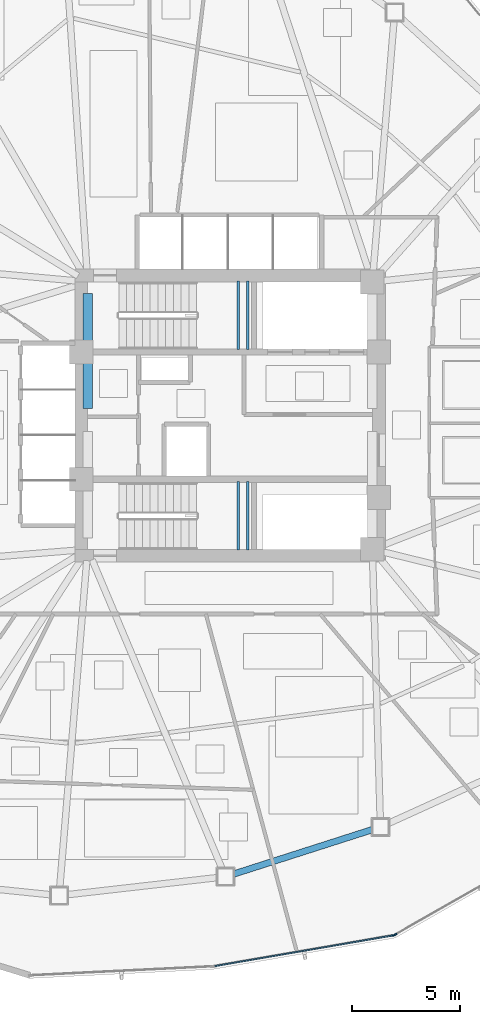
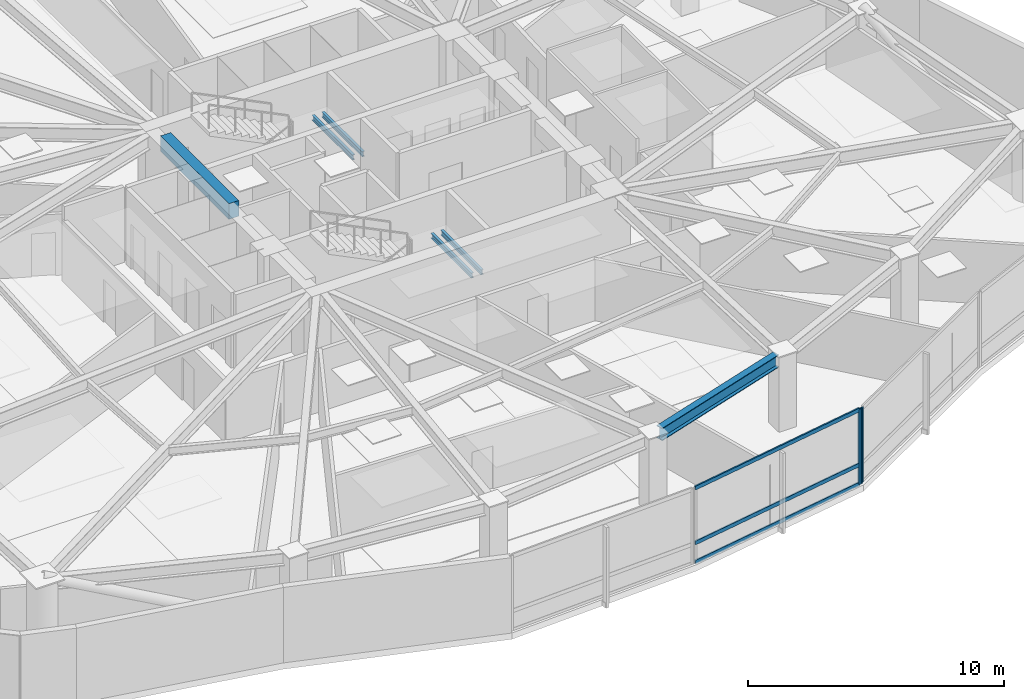
# One storey, part 5 of 18: 6 beams, 5 members, 2 elements without a shape of their own.
"""IFC4 building model written with IfcOpenShell, lengths in metres."""

import ifcopenshell
import ifcopenshell.guid

model = None  # the IFC model being written
_history = None  # IfcOwnerHistory: only IFC2X3 demands one
_inside = {}  # id of a spatial element -> (the spatial element, [elements in it])
_under = {}  # id of a project, library or spatial element -> (it, [spatial elements below it])
_declared = {}  # id of a project -> (the project, [libraries it declares])
_typed = {}  # id of a type object -> (the type object, [elements of that type])
_made_of = {}  # id of a material, layer set ... -> (it, [elements and type objects made of it])


def new_model(schema):
    """Start an empty IFC model of exactly this schema.

    Asked for "IFC4X3", IfcOpenShell would pick the latest addendum, in which some entities
    have other attributes; the version numbers below select the first issue.
    IFC2X3 requires an IfcOwnerHistory on every rooted entity: one is made here for all.
    """
    global model, _history
    if schema == "IFC4X3":
        model = ifcopenshell.file(schema_version=(4, 3, 0, 0))
    else:
        model = ifcopenshell.file(schema=schema)
    _inside.clear()
    _under.clear()
    _declared.clear()
    _typed.clear()
    _made_of.clear()
    _history = None
    if model.schema == "IFC2X3":
        org = make("IfcOrganization", Name="unknown")
        user = make(
            "IfcPersonAndOrganization",
            ThePerson=make("IfcPerson", FamilyName="unknown"),
            TheOrganization=org,
        )
        app = make(
            "IfcApplication",
            ApplicationDeveloper=org,
            Version="unknown",
            ApplicationFullName="unknown",
            ApplicationIdentifier="unknown",
        )
        _history = make(
            "IfcOwnerHistory",
            OwningUser=user,
            OwningApplication=app,
            ChangeAction="ADDED",
            CreationDate=0,
        )
    return model


def make(cls, **values):
    """One entity of the class cls with the attributes given. An attribute that is None is left unset."""
    return model.create_entity(
        cls, **{name: value for name, value in values.items() if value is not None}
    )


def rooted(cls, **values):
    """An entity with a GlobalId (a new one), such as an element, a storey or a relation."""
    return make(cls, GlobalId=ifcopenshell.guid.new(), OwnerHistory=_history, **values)


def si_unit(unit_type, name, prefix=None):
    """IfcSIUnit, for example si_unit("LENGTHUNIT", "METRE", prefix="MILLI")."""
    return make("IfcSIUnit", UnitType=unit_type, Prefix=prefix, Name=name)


def assignment(units):
    """IfcUnitAssignment: the units of a project."""
    return None if units is None else make("IfcUnitAssignment", Units=units)


def point(xyz):
    """IfcCartesianPoint."""
    return None if xyz is None else make("IfcCartesianPoint", Coordinates=xyz)


def direction(xyz):
    """IfcDirection."""
    return None if xyz is None else make("IfcDirection", DirectionRatios=xyz)


def frame(location, z_axis=None, x_axis=None):
    """IfcAxis2Placement3D, a coordinate frame: its origin and axes. An axis left out is left unset."""
    return make(
        "IfcAxis2Placement3D",
        Location=point(location),
        Axis=direction(z_axis),
        RefDirection=direction(x_axis),
    )


def frame_2d(location, x_axis=None):
    """IfcAxis2Placement2D, a coordinate frame in the plane: its origin and x axis."""
    return make(
        "IfcAxis2Placement2D", Location=point(location), RefDirection=direction(x_axis)
    )


def origin():
    """The frame at (0, 0, 0) with its axes left unset."""
    return frame((0.0, 0.0, 0.0))


def origin_2d():
    """The frame at (0, 0) in the plane with its x axis left unset."""
    return frame_2d((0.0, 0.0))


def place(relative_to, where):
    """IfcLocalPlacement: puts the frame where relative to a parent placement (None: the world)."""
    return make(
        "IfcLocalPlacement", PlacementRelTo=relative_to, RelativePlacement=where
    )


def context(
    kind, dimensions, precision=None, world=None, true_north=None, identifier=None
):
    """IfcGeometricRepresentationContext, for example the 3D "Model" context."""
    return make(
        "IfcGeometricRepresentationContext",
        ContextIdentifier=identifier,
        ContextType=kind,
        CoordinateSpaceDimension=dimensions,
        Precision=precision,
        WorldCoordinateSystem=world,
        TrueNorth=true_north,
    )


def subcontext(parent, identifier, kind, view, scale=None):
    """IfcGeometricRepresentationSubContext, for example "Body" below "Model"."""
    return make(
        "IfcGeometricRepresentationSubContext",
        ContextIdentifier=identifier,
        ContextType=kind,
        ParentContext=parent,
        TargetScale=scale,
        TargetView=view,
    )


def project(units=None, contexts=None):
    """IfcProject with its units and contexts."""
    return rooted(
        "IfcProject",
        Name="project",
        RepresentationContexts=contexts,
        UnitsInContext=assignment(units),
    )


def spatial(cls, under=None, at=None, **own):
    """A site, building, storey or space (cls), placed at a placement, below another one or the project."""
    s = rooted(cls, ObjectPlacement=at, **own)
    if under is not None:
        _under.setdefault(under.id(), (under, []))[1].append(s)
    return s


def profile(cls, at=None, kind="AREA", **sizes):
    """A parametric profile (cls). Its sizes go by their IFC names, for example OverallWidth=200.0."""
    return make(cls, ProfileType=kind, Position=at, **sizes)


def rectangle(**sizes):
    """IfcRectangleProfileDef."""
    return profile("IfcRectangleProfileDef", **sizes)


def hollow_rectangle(**sizes):
    """IfcRectangleHollowProfileDef."""
    return profile("IfcRectangleHollowProfileDef", **sizes)


def i_section(**sizes):
    """IfcIShapeProfileDef."""
    return profile("IfcIShapeProfileDef", **sizes)


def extrude(swept, where, along, depth):
    """IfcExtrudedAreaSolid: the profile swept, set in the frame where, extruded along a direction by depth."""
    return make(
        "IfcExtrudedAreaSolid",
        SweptArea=swept,
        Position=where,
        ExtrudedDirection=direction(along),
        Depth=depth,
    )


def shape(context_of_items, identifier, shape_type, items):
    """IfcShapeRepresentation: the items that make up one representation, for example the "Body"."""
    return make(
        "IfcShapeRepresentation",
        ContextOfItems=context_of_items,
        RepresentationIdentifier=identifier,
        RepresentationType=shape_type,
        Items=items,
    )


def source(mapping_origin, context_of_items, identifier, shape_type, items):
    """IfcRepresentationMap: a shape defined once, which mapped items show again and again."""
    return make(
        "IfcRepresentationMap",
        MappingOrigin=mapping_origin,
        MappedRepresentation=shape(context_of_items, identifier, shape_type, items),
    )


def transform(
    local_origin,
    x_axis=None,
    y_axis=None,
    z_axis=None,
    scale=None,
    scale2=None,
    scale3=None,
    uniform=True,
):
    """IfcCartesianTransformationOperator3D, or its non-uniform kind. x_axis, y_axis, z_axis: its Axis1, 2, 3."""
    if uniform:
        return make(
            "IfcCartesianTransformationOperator3D",
            Axis1=direction(x_axis),
            Axis2=direction(y_axis),
            LocalOrigin=point(local_origin),
            Scale=scale,
            Axis3=direction(z_axis),
        )
    return make(
        "IfcCartesianTransformationOperator3DnonUniform",
        Axis1=direction(x_axis),
        Axis2=direction(y_axis),
        LocalOrigin=point(local_origin),
        Scale=scale,
        Axis3=direction(z_axis),
        Scale2=scale2,
        Scale3=scale3,
    )


def mapped(mapping_source, mapping_target):
    """IfcMappedItem: shows the shape of a source again, moved by a transform."""
    return make(
        "IfcMappedItem", MappingSource=mapping_source, MappingTarget=mapping_target
    )


def material(Name=None, Category=None):
    """IfcMaterial."""
    return make("IfcMaterial", Name=Name, Category=Category)


def layer(
    of_material, thickness, ventilated=None, Name=None, Category=None, Priority=None
):
    """IfcMaterialLayer: one layer of a wall or slab, of a material (None: an air gap)."""
    return make(
        "IfcMaterialLayer",
        Material=of_material,
        LayerThickness=thickness,
        IsVentilated=ventilated,
        Name=Name,
        Category=Category,
        Priority=Priority,
    )


def layer_set(layers, Name=None):
    """IfcMaterialLayerSet."""
    return make("IfcMaterialLayerSet", MaterialLayers=layers, LayerSetName=Name)


def material_profile(
    of_material, cross_section, Name=None, Category=None, Priority=None
):
    """IfcMaterialProfile: a cross section and its material."""
    return make(
        "IfcMaterialProfile",
        Name=Name,
        Material=of_material,
        Profile=cross_section,
        Priority=Priority,
        Category=Category,
    )


def profile_set(profiles, Name=None, composite=None):
    """IfcMaterialProfileSet."""
    return make(
        "IfcMaterialProfileSet",
        Name=Name,
        MaterialProfiles=profiles,
        CompositeProfile=composite,
    )


def made_of(thing, what):
    """Note that an element or type object is made of a material, layer set ...; save() writes the relation."""
    if what is not None:
        _made_of.setdefault(what.id(), (what, []))[1].append(thing)
    return thing


def type_object(cls, material=None, **own):
    """A type object (cls), such as IfcWallType, which elements share."""
    return made_of(rooted(cls, **own), material)


def type_shapes(of_type, sources):
    """Give a type object the sources (RepresentationMaps) that its elements show as mapped items."""
    of_type.RepresentationMaps = sources


def element(
    cls,
    number,
    at=None,
    inside=None,
    cuts=None,
    type_object=None,
    material=None,
    context=None,
    identifier="Body",
    shape_type=None,
    held_by="IfcProductDefinitionShape",
    body=None,
    shapes=None,
    **own,
):
    """One element of the class cls, such as IfcWall. Its Tag is "e" and its number.

    at: its placement. inside: the storey or other place that contains it. cuts: it is an
    opening in that element (IfcRelVoidsElement). A single representation is given by context,
    identifier, shape_type and body (its items); several are given by shapes. held_by: the class
    of the entity that holds the representations. save() writes the other relations.
    """
    e = rooted(cls, Tag="e%d" % number, ObjectPlacement=at, **own)
    if body is not None:
        shapes = [shape(context, identifier, shape_type, body)]
    if shapes is not None:
        e.Representation = make(held_by, Representations=shapes)
    if inside is not None:
        _inside.setdefault(inside.id(), (inside, []))[1].append(e)
    if cuts is not None:
        rooted(
            "IfcRelVoidsElement", RelatingBuildingElement=cuts, RelatedOpeningElement=e
        )
    if type_object is not None:
        _typed.setdefault(type_object.id(), (type_object, []))[1].append(e)
    return made_of(e, material)


def aggregate(whole, parts):
    """IfcRelAggregates: a whole, such as a stair, and the parts it consists of."""
    return rooted("IfcRelAggregates", RelatingObject=whole, RelatedObjects=parts)


def save(model, path):
    """Write the relations noted so far, then the file.

    IfcRelAggregates (storeys below a building ...), IfcRelContainedInSpatialStructure (elements
    in a storey), IfcRelDefinesByType, IfcRelAssociatesMaterial and IfcRelDeclares: one each for
    every whole, place, type object, material and project.
    """
    for whole, parts in _under.values():
        aggregate(whole, parts)
    for where, things in _inside.values():
        rooted(
            "IfcRelContainedInSpatialStructure",
            RelatedElements=things,
            RelatingStructure=where,
        )
    for kind, things in _typed.values():
        rooted("IfcRelDefinesByType", RelatedObjects=things, RelatingType=kind)
    for what, things in _made_of.values():
        rooted("IfcRelAssociatesMaterial", RelatedObjects=things, RelatingMaterial=what)
    for by, libraries in _declared.values():
        rooted("IfcRelDeclares", RelatingContext=by, RelatedDefinitions=libraries)
    model.write(path)


model = new_model("IFC4")

# Units and contexts
model_context = context("Model", 3, precision=1e-05, world=origin(), true_north=direction((0.0, 1.0)))
body_context = subcontext(model_context, "Body", "Model", "MODEL_VIEW")
ifc_project = project(units=[si_unit("LENGTHUNIT", "METRE"), si_unit("AREAUNIT", "SQUARE_METRE"), si_unit("VOLUMEUNIT", "CUBIC_METRE"), si_unit("PLANEANGLEUNIT", "RADIAN"), si_unit("MASSUNIT", "GRAM", prefix="KILO")], contexts=[model_context])

# Site, building, storey
site_placement = place(None, origin())
site = spatial("IfcSite", under=ifc_project, at=site_placement, CompositionType="ELEMENT")
building_placement = place(site_placement, origin())
building = spatial("IfcBuilding", under=site, at=building_placement, Name="Tavelor Broadcast Tower", CompositionType="ELEMENT")
storey_placement = place(building_placement, frame((0.0, 0.0, 51.0)))
storey = spatial("IfcBuildingStorey", under=building, at=storey_placement, Name="L11", CompositionType="ELEMENT", Elevation=51.0)

# Beams
ifc_material_1 = material(Name="Concrete C40/50", Category="concrete")
ifc_material_profile_1 = material_profile(ifc_material_1, rectangle(XDim=0.449951171875, YDim=0.75, at=origin_2d()), Name="RC 450x750")
ifc_profile_set_1 = profile_set([ifc_material_profile_1], Name="Concrete C40/50")
beam_type_1 = type_object("IfcBeamType", Name="Basement Core Trim Beam 450x750", PredefinedType="BEAM", material=ifc_profile_set_1)
beam_1_placement = place(storey_placement, frame((43.39990234375, 45.327880859375, 3.22509765625), z_axis=(0.0, 1.0, 0.0), x_axis=(-1.0, 0.0, 0.0)))
element("IfcBeam", 1, at=beam_1_placement, inside=storey, type_object=beam_type_1, Name="L11 Core West-N Tie Girder", PredefinedType="BEAM", context=body_context, shape_type="SweptSolid", body=[
    extrude(rectangle(XDim=0.449951171875, YDim=0.75, at=origin_2d()), origin(), (0.0, 0.0, 1.0), 5.34423828125),
])
ifc_material_2 = material(Name="Steel S355", Category="steel")
ifc_material_profile_2 = material_profile(ifc_material_2, i_section(OverallWidth=0.300048828125, OverallDepth=0.60009765625, WebThickness=0.015380859375, FlangeThickness=0.030029296875, at=origin_2d()), Name="HEB 600")
ifc_profile_set_2 = profile_set([ifc_material_profile_2], Name="Steel S355")
beam_type_2 = type_object("IfcBeamType", Name="Perimeter Spandrel Beam T1 HEB 600", PredefinedType="SPANDREL", material=ifc_profile_set_2)
beam_2_placement = place(storey_placement, frame((50.15234375, 23.735107421875, 3.300048828125), z_axis=(0.952305764648, 0.305145425362, 0.0), x_axis=(-0.305145425362, 0.952305764648, 0.0)))
element("IfcBeam", 2, at=beam_2_placement, inside=storey, type_object=beam_type_2, Name="L11 Framed-Tube Ring Spandrel 10", PredefinedType="SPANDREL", context=body_context, shape_type="SweptSolid", body=[
    extrude(i_section(OverallWidth=0.300048828125, OverallDepth=0.60009765625, WebThickness=0.015380859375, FlangeThickness=0.030029296875, at=origin_2d()), origin(), (0.0, 0.0, 1.0), 6.78076171875),
])
ifc_material_profile_3 = material_profile(ifc_material_2, i_section(OverallWidth=0.1201171875, OverallDepth=0.239990234375, WebThickness=0.006103515625, FlangeThickness=0.009765625, at=origin_2d()), Name="IPE 240")
ifc_profile_set_3 = profile_set([ifc_material_profile_3], Name="Steel S355")
beam_type_3 = type_object("IfcBeamType", Name="Stairwell Landing Support Trimmer Beam IPE240", PredefinedType="BEAM", material=ifc_profile_set_3)
for number, where, z_axis, x_axis, name in (
    (3, (50.385009765625, 48.06005859375, 1.635009765625), (0.0, 1.0, 0.0), (-1.0, 0.0, 0.0), "L11 Stair Landing Support Beam 47"),
    (4, (50.824951171875, 48.06005859375, 1.635009765625), (0.0, 1.0, 0.0), (-1.0, 0.0, 0.0), "L11 Stair Landing Support Beam 48"),
    (5, (50.385009765625, 38.760009765625, 1.635009765625), (0.0, 1.0, 0.0), (-1.0, 0.0, 0.0), "L11 Stair Landing Support Beam 261"),
    (6, (50.824951171875, 38.760009765625, 1.635009765625), (0.0, 1.0, 0.0), (-1.0, 0.0, 0.0), "L11 Stair Landing Support Beam 262"),
):
    element("IfcBeam", number, at=place(storey_placement, frame(where, z_axis=z_axis, x_axis=x_axis)), inside=storey, type_object=beam_type_3, Name=name, PredefinedType="BEAM", context=body_context, shape_type="SweptSolid", body=[
        extrude(i_section(OverallWidth=0.1201171875, OverallDepth=0.239990234375, WebThickness=0.006103515625, FlangeThickness=0.009765625, at=origin_2d()), origin(), (0.0, 0.0, 1.0), 3.179931640625),
    ])

# Curtain wall, member
ifc_material_3 = material(Name="Architectural Anodized Aluminium", Category="aluminium")
ifc_layer = layer(ifc_material_3, 0.179931640625)
ifc_layer_set = layer_set([ifc_layer], Name="Architectural Anodized Aluminium")
curtain_wall_type = type_object("IfcCurtainWallType", Name="Tower Low-Zone Unitised Curtain Wall CW02", PredefinedType="NOTDEFINED", material=ifc_layer_set)
curtain_wall_1_placement = place(storey_placement, origin())
curtain_wall_1 = element("IfcCurtainWall", 7, at=curtain_wall_1_placement, inside=storey, type_object=curtain_wall_type, Name="L11 Curtain Wall CW02 Run 90", PredefinedType="NOTDEFINED")
ifc_material_profile_4 = material_profile(ifc_material_3, hollow_rectangle(XDim=0.06494140625, YDim=0.179931640625, WallThickness=0.02197265625, at=origin_2d()), Name="RHS 65x180x22")
ifc_profile_set_4 = profile_set([ifc_material_profile_4], Name="Architectural Anodized Aluminium")
member_type_1 = type_object("IfcMemberType", Name="CW02 Extruded Aluminium Mullion 65x180", PredefinedType="MULLION", material=ifc_profile_set_4)
shared_shape_1 = source(origin(), body_context, "Body", "SweptSolid", [
    extrude(hollow_rectangle(XDim=0.06494140625, YDim=0.179931640625, WallThickness=0.02197265625, at=origin_2d()), origin(), (0.0, 0.0, 1.0), 3.60009765625),
])
type_shapes(member_type_1, [shared_shape_1])
member_1_placement = place(storey_placement, frame((57.56640625, 20.898193359375, 0.0), z_axis=(0.0, 0.0, 1.0), x_axis=(-0.169782629802, 0.985481536416, 0.0)))
member_1 = element("IfcMember", 8, at=member_1_placement, type_object=member_type_1, Name="CW02 mullion 2", PredefinedType="MULLION", context=body_context, shape_type="MappedRepresentation", body=[
    mapped(shared_shape_1, transform((0.0, 0.0, 0.0), scale=1.0)),
])

curtain_wall_2_placement = place(storey_placement, origin())
curtain_wall_2 = element("IfcCurtainWall", 9, at=curtain_wall_2_placement, inside=storey, type_object=curtain_wall_type, Name="L11 Curtain Wall CW02 Run 91", PredefinedType="NOTDEFINED")
member_2_placement = place(storey_placement, frame((57.654541015625, 20.929931640625, 0.0), z_axis=(0.0, 0.0, 1.0), x_axis=(-0.496179091181, 0.868220196422, 0.0)))
member_2 = element("IfcMember", 10, at=member_2_placement, type_object=member_type_1, Name="CW02 mullion 1", PredefinedType="MULLION", context=body_context, shape_type="MappedRepresentation", body=[
    mapped(shared_shape_1, transform((0.0, 0.0, 0.0), scale=1.0)),
])
aggregate(curtain_wall_2, [member_2])

# Member
ifc_material_profile_5 = material_profile(ifc_material_3, hollow_rectangle(XDim=0.06494140625, YDim=0.179931640625, WallThickness=0.02197265625, at=origin_2d()), Name="RHS 65x180x22")
ifc_profile_set_5 = profile_set([ifc_material_profile_5], Name="Architectural Anodized Aluminium")
member_type_2 = type_object("IfcMemberType", Name="CW02 Extruded Aluminium Transom 65x180", PredefinedType="USERDEFINED", material=ifc_profile_set_5)
shared_shape_2 = source(origin(), body_context, "Body", "SweptSolid", [
    extrude(hollow_rectangle(XDim=0.06494140625, YDim=0.179931640625, WallThickness=0.02197265625, at=origin_2d()), origin(), (0.0, 0.0, 1.0), 8.357421875),
])
type_shapes(member_type_2, [shared_shape_2])
member_3_placement = place(storey_placement, frame((49.29833984375, 19.4736328125, 0.032470703125), z_axis=(0.985481528117, 0.169782677973, 0.0), x_axis=(-0.169782677973, 0.985481528117, 0.0)))
member_3 = element("IfcMember", 11, at=member_3_placement, type_object=member_type_2, Name="CW02 transom 1.1", ObjectType="TRANSOM", PredefinedType="USERDEFINED", context=body_context, shape_type="MappedRepresentation", body=[
    mapped(shared_shape_2, transform((0.0, 0.0, 0.0), scale=1.0)),
])

member_4_placement = place(storey_placement, frame((49.29833984375, 19.4736328125, 0.949951171875), z_axis=(0.985481528117, 0.169782677973, 0.0), x_axis=(-0.169782677973, 0.985481528117, 0.0)))
member_4 = element("IfcMember", 12, at=member_4_placement, type_object=member_type_2, Name="CW02 transom 1.2", ObjectType="TRANSOM", PredefinedType="USERDEFINED", context=body_context, shape_type="MappedRepresentation", body=[
    mapped(shared_shape_2, transform((0.0, 0.0, 0.0), scale=1.0)),
])

member_5_placement = place(storey_placement, frame((49.29833984375, 19.4736328125, 3.5673828125), z_axis=(0.985481528117, 0.169782677973, 0.0), x_axis=(-0.169782677973, 0.985481528117, 0.0)))
member_5 = element("IfcMember", 13, at=member_5_placement, type_object=member_type_2, Name="CW02 transom 1.3", ObjectType="TRANSOM", PredefinedType="USERDEFINED", context=body_context, shape_type="MappedRepresentation", body=[
    mapped(shared_shape_2, transform((0.0, 0.0, 0.0), scale=1.0)),
])

aggregate(curtain_wall_1, [member_1, member_3, member_4, member_5])

save(model, "model.ifc")
